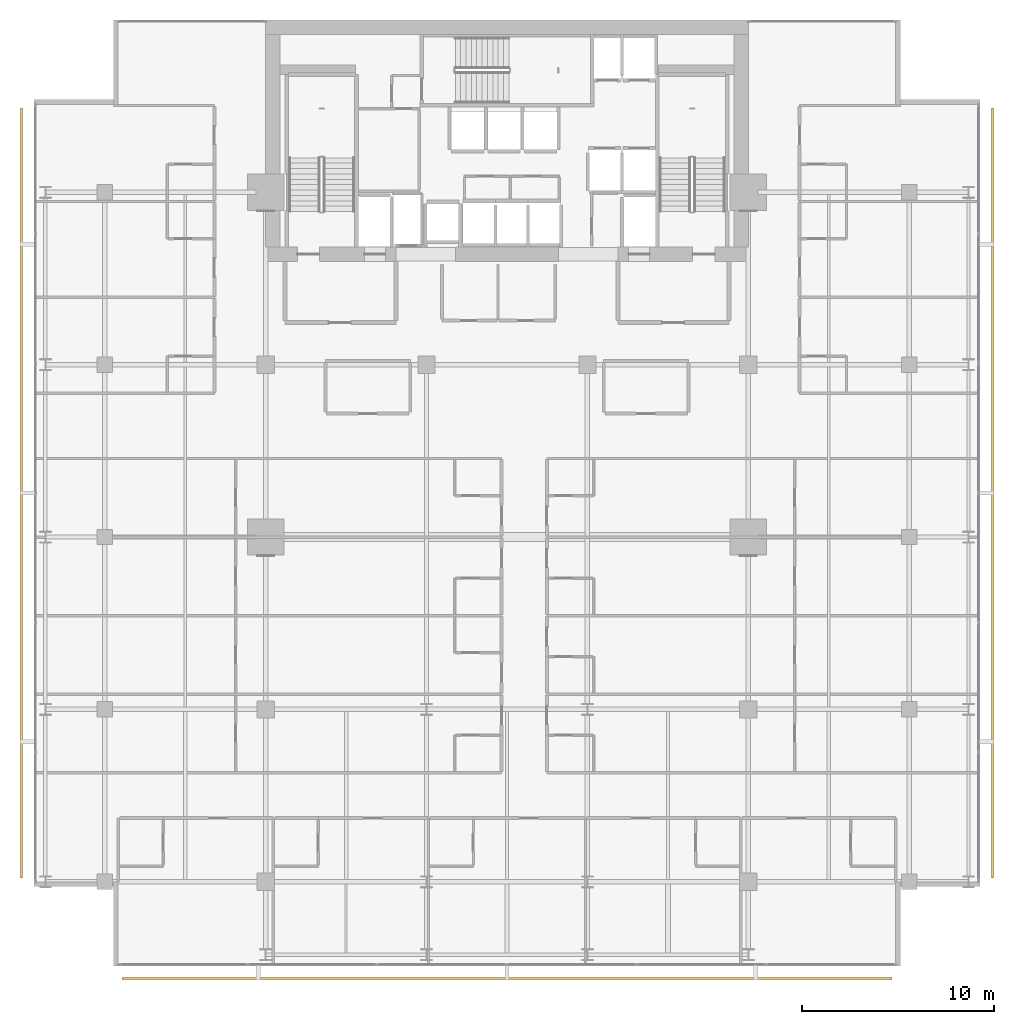
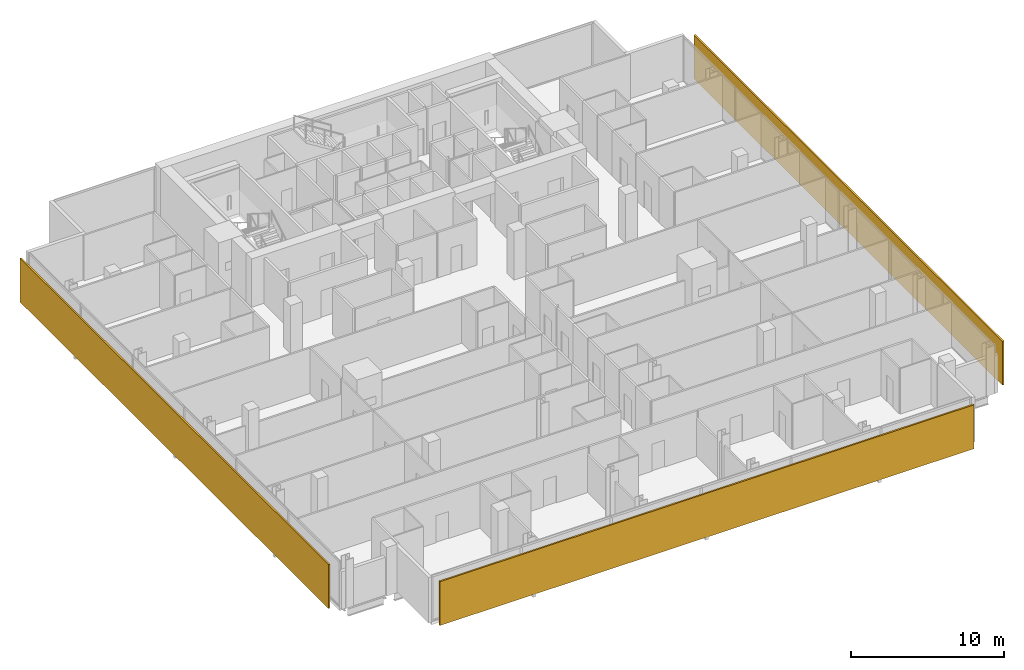
# One storey, part 33 of 34: 3 shading devices.
"""IFC4 building model written with IfcOpenShell, lengths in metres."""

from ifc_helpers import new_model, si_unit, direction, frame, origin, origin_2d, place, context, subcontext, project, spatial, rectangle, extrude, material, layer, layer_set, type_object, element, save


model = new_model("IFC4")

# Units and contexts
model_context = context("Model", 3, precision=1e-05, world=origin(), true_north=direction((0.0, 1.0)))
body_context = subcontext(model_context, "Body", "Model", "MODEL_VIEW")
ifc_project = project(units=[si_unit("LENGTHUNIT", "METRE"), si_unit("AREAUNIT", "SQUARE_METRE"), si_unit("VOLUMEUNIT", "CUBIC_METRE"), si_unit("PLANEANGLEUNIT", "RADIAN"), si_unit("MASSUNIT", "GRAM", prefix="KILO")], contexts=[model_context])

# Site, building, storey
site_placement = place(None, origin())
site = spatial("IfcSite", under=ifc_project, at=site_placement, CompositionType="ELEMENT")
building_placement = place(site_placement, origin())
building = spatial("IfcBuilding", under=site, at=building_placement, Name="Maruvema Waterfront Hotel and Observation Tower", CompositionType="ELEMENT")
storey_placement = place(building_placement, frame((0.0, 0.0, 181.300048828125)))
storey = spatial("IfcBuildingStorey", under=building, at=storey_placement, Name="L44", CompositionType="ELEMENT", Elevation=181.300048828125)

# Shading devices
ifc_material = material(Name="Honed travertine stone and anodised architectural bronze", Category="masonry")
ifc_layer = layer(ifc_material, 0.1201171875, Name="Ventilated Outer Skin Cobogo Stone-and-Bronze Screen 120 mm")
ifc_layer_set = layer_set([ifc_layer], Name="Honed travertine stone and anodised architectural bronze")
shading_device_type = type_object("IfcShadingDeviceType", Name="Ventilated Outer Skin Cobogo Stone-and-Bronze Screen 120 mm", PredefinedType="USERDEFINED", material=ifc_layer_set)
for number, where, z_axis, x_axis, name in (
    (1, (37.800048828125, 3.949951171875, 0.06005859375), (0.0, 0.0, 1.0), (1.0, 0.0, 0.0), "L44 Ventilated Double-Skin Outer Cobogo Screen OS-L44-S"),
    (2, (63.14990234375, 29.300048828125, 0.06005859375), (0.0, 0.0, 1.0), (0.0, 1.0, 0.0), "L44 Ventilated Double-Skin Outer Cobogo Screen OS-L44-E"),
    (3, (12.449951171875, 29.300048828125, 0.06005859375), (0.0, 0.0, 1.0), (0.0, -1.0, 0.0), "L44 Ventilated Double-Skin Outer Cobogo Screen OS-L44-W"),
):
    element("IfcShadingDevice", number, at=place(storey_placement, frame(where, z_axis=z_axis, x_axis=x_axis)), inside=storey, type_object=shading_device_type, Name=name, ObjectType="OUTER SKIN SCREEN", PredefinedType="USERDEFINED", context=body_context, shape_type="SweptSolid", body=[
        extrude(rectangle(XDim=40.199951171875, YDim=0.1201171875, at=origin_2d()), origin(), (0.0, 0.0, 1.0), 3.489990234375),
    ])

save(model, "model.ifc")
